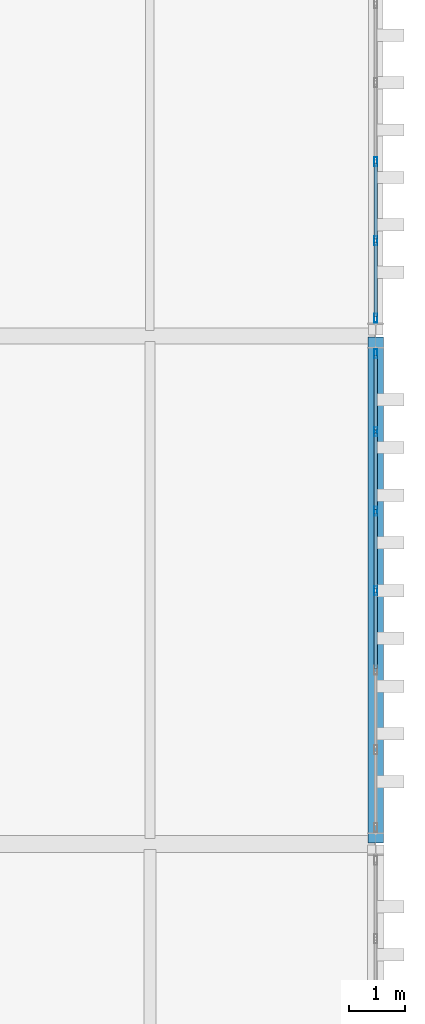
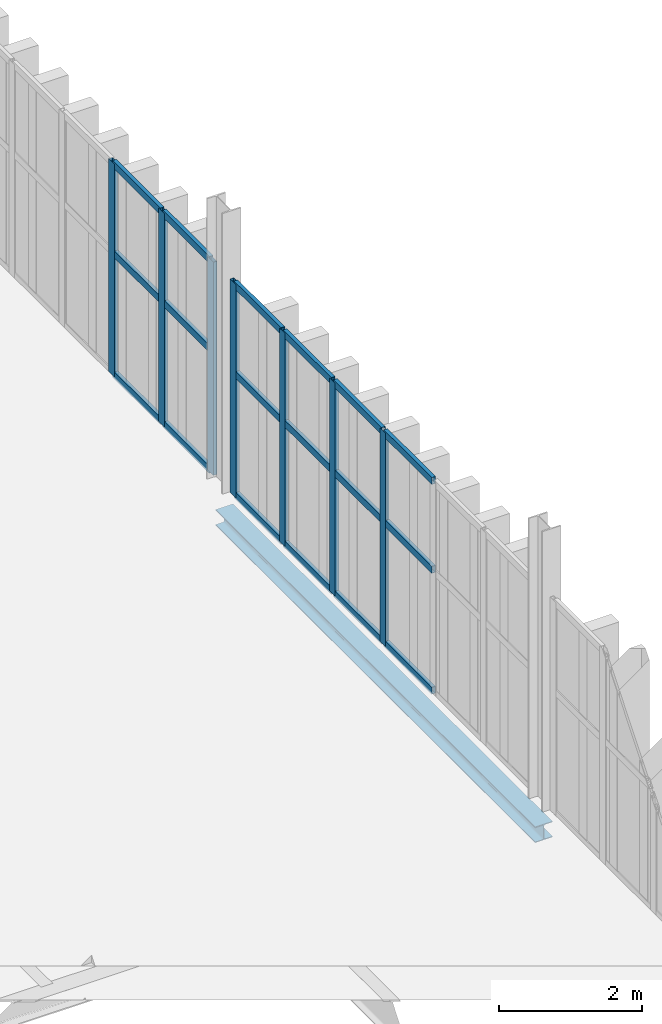
# One storey, part 126 of 196: 25 members, 1 beam, 2 elements without a shape of their own.
"""IFC4 building model written with IfcOpenShell, lengths in metres."""

import ifcopenshell
import ifcopenshell.guid

model = None  # the IFC model being written
_history = None  # IfcOwnerHistory: only IFC2X3 demands one
_inside = {}  # id of a spatial element -> (the spatial element, [elements in it])
_under = {}  # id of a project, library or spatial element -> (it, [spatial elements below it])
_declared = {}  # id of a project -> (the project, [libraries it declares])
_typed = {}  # id of a type object -> (the type object, [elements of that type])
_made_of = {}  # id of a material, layer set ... -> (it, [elements and type objects made of it])


def new_model(schema):
    """Start an empty IFC model of exactly this schema.

    Asked for "IFC4X3", IfcOpenShell would pick the latest addendum, in which some entities
    have other attributes; the version numbers below select the first issue.
    IFC2X3 requires an IfcOwnerHistory on every rooted entity: one is made here for all.
    """
    global model, _history
    if schema == "IFC4X3":
        model = ifcopenshell.file(schema_version=(4, 3, 0, 0))
    else:
        model = ifcopenshell.file(schema=schema)
    _inside.clear()
    _under.clear()
    _declared.clear()
    _typed.clear()
    _made_of.clear()
    _history = None
    if model.schema == "IFC2X3":
        org = make("IfcOrganization", Name="unknown")
        user = make(
            "IfcPersonAndOrganization",
            ThePerson=make("IfcPerson", FamilyName="unknown"),
            TheOrganization=org,
        )
        app = make(
            "IfcApplication",
            ApplicationDeveloper=org,
            Version="unknown",
            ApplicationFullName="unknown",
            ApplicationIdentifier="unknown",
        )
        _history = make(
            "IfcOwnerHistory",
            OwningUser=user,
            OwningApplication=app,
            ChangeAction="ADDED",
            CreationDate=0,
        )
    return model


def make(cls, **values):
    """One entity of the class cls with the attributes given. An attribute that is None is left unset."""
    return model.create_entity(
        cls, **{name: value for name, value in values.items() if value is not None}
    )


def rooted(cls, **values):
    """An entity with a GlobalId (a new one), such as an element, a storey or a relation."""
    return make(cls, GlobalId=ifcopenshell.guid.new(), OwnerHistory=_history, **values)


def si_unit(unit_type, name, prefix=None):
    """IfcSIUnit, for example si_unit("LENGTHUNIT", "METRE", prefix="MILLI")."""
    return make("IfcSIUnit", UnitType=unit_type, Prefix=prefix, Name=name)


def assignment(units):
    """IfcUnitAssignment: the units of a project."""
    return None if units is None else make("IfcUnitAssignment", Units=units)


def point(xyz):
    """IfcCartesianPoint."""
    return None if xyz is None else make("IfcCartesianPoint", Coordinates=xyz)


def direction(xyz):
    """IfcDirection."""
    return None if xyz is None else make("IfcDirection", DirectionRatios=xyz)


def frame(location, z_axis=None, x_axis=None):
    """IfcAxis2Placement3D, a coordinate frame: its origin and axes. An axis left out is left unset."""
    return make(
        "IfcAxis2Placement3D",
        Location=point(location),
        Axis=direction(z_axis),
        RefDirection=direction(x_axis),
    )


def frame_2d(location, x_axis=None):
    """IfcAxis2Placement2D, a coordinate frame in the plane: its origin and x axis."""
    return make(
        "IfcAxis2Placement2D", Location=point(location), RefDirection=direction(x_axis)
    )


def origin():
    """The frame at (0, 0, 0) with its axes left unset."""
    return frame((0.0, 0.0, 0.0))


def origin_2d():
    """The frame at (0, 0) in the plane with its x axis left unset."""
    return frame_2d((0.0, 0.0))


def place(relative_to, where):
    """IfcLocalPlacement: puts the frame where relative to a parent placement (None: the world)."""
    return make(
        "IfcLocalPlacement", PlacementRelTo=relative_to, RelativePlacement=where
    )


def context(
    kind, dimensions, precision=None, world=None, true_north=None, identifier=None
):
    """IfcGeometricRepresentationContext, for example the 3D "Model" context."""
    return make(
        "IfcGeometricRepresentationContext",
        ContextIdentifier=identifier,
        ContextType=kind,
        CoordinateSpaceDimension=dimensions,
        Precision=precision,
        WorldCoordinateSystem=world,
        TrueNorth=true_north,
    )


def subcontext(parent, identifier, kind, view, scale=None):
    """IfcGeometricRepresentationSubContext, for example "Body" below "Model"."""
    return make(
        "IfcGeometricRepresentationSubContext",
        ContextIdentifier=identifier,
        ContextType=kind,
        ParentContext=parent,
        TargetScale=scale,
        TargetView=view,
    )


def project(units=None, contexts=None):
    """IfcProject with its units and contexts."""
    return rooted(
        "IfcProject",
        Name="project",
        RepresentationContexts=contexts,
        UnitsInContext=assignment(units),
    )


def spatial(cls, under=None, at=None, **own):
    """A site, building, storey or space (cls), placed at a placement, below another one or the project."""
    s = rooted(cls, ObjectPlacement=at, **own)
    if under is not None:
        _under.setdefault(under.id(), (under, []))[1].append(s)
    return s


def profile(cls, at=None, kind="AREA", **sizes):
    """A parametric profile (cls). Its sizes go by their IFC names, for example OverallWidth=200.0."""
    return make(cls, ProfileType=kind, Position=at, **sizes)


def hollow_rectangle(**sizes):
    """IfcRectangleHollowProfileDef."""
    return profile("IfcRectangleHollowProfileDef", **sizes)


def i_section(**sizes):
    """IfcIShapeProfileDef."""
    return profile("IfcIShapeProfileDef", **sizes)


def extrude(swept, where, along, depth):
    """IfcExtrudedAreaSolid: the profile swept, set in the frame where, extruded along a direction by depth."""
    return make(
        "IfcExtrudedAreaSolid",
        SweptArea=swept,
        Position=where,
        ExtrudedDirection=direction(along),
        Depth=depth,
    )


def shape(context_of_items, identifier, shape_type, items):
    """IfcShapeRepresentation: the items that make up one representation, for example the "Body"."""
    return make(
        "IfcShapeRepresentation",
        ContextOfItems=context_of_items,
        RepresentationIdentifier=identifier,
        RepresentationType=shape_type,
        Items=items,
    )


def material(Name=None, Category=None):
    """IfcMaterial."""
    return make("IfcMaterial", Name=Name, Category=Category)


def layer(
    of_material, thickness, ventilated=None, Name=None, Category=None, Priority=None
):
    """IfcMaterialLayer: one layer of a wall or slab, of a material (None: an air gap)."""
    return make(
        "IfcMaterialLayer",
        Material=of_material,
        LayerThickness=thickness,
        IsVentilated=ventilated,
        Name=Name,
        Category=Category,
        Priority=Priority,
    )


def layer_set(layers, Name=None):
    """IfcMaterialLayerSet."""
    return make("IfcMaterialLayerSet", MaterialLayers=layers, LayerSetName=Name)


def material_profile(
    of_material, cross_section, Name=None, Category=None, Priority=None
):
    """IfcMaterialProfile: a cross section and its material."""
    return make(
        "IfcMaterialProfile",
        Name=Name,
        Material=of_material,
        Profile=cross_section,
        Priority=Priority,
        Category=Category,
    )


def profile_set(profiles, Name=None, composite=None):
    """IfcMaterialProfileSet."""
    return make(
        "IfcMaterialProfileSet",
        Name=Name,
        MaterialProfiles=profiles,
        CompositeProfile=composite,
    )


def made_of(thing, what):
    """Note that an element or type object is made of a material, layer set ...; save() writes the relation."""
    if what is not None:
        _made_of.setdefault(what.id(), (what, []))[1].append(thing)
    return thing


def type_object(cls, material=None, **own):
    """A type object (cls), such as IfcWallType, which elements share."""
    return made_of(rooted(cls, **own), material)


def element(
    cls,
    number,
    at=None,
    inside=None,
    cuts=None,
    type_object=None,
    material=None,
    context=None,
    identifier="Body",
    shape_type=None,
    held_by="IfcProductDefinitionShape",
    body=None,
    shapes=None,
    **own,
):
    """One element of the class cls, such as IfcWall. Its Tag is "e" and its number.

    at: its placement. inside: the storey or other place that contains it. cuts: it is an
    opening in that element (IfcRelVoidsElement). A single representation is given by context,
    identifier, shape_type and body (its items); several are given by shapes. held_by: the class
    of the entity that holds the representations. save() writes the other relations.
    """
    e = rooted(cls, Tag="e%d" % number, ObjectPlacement=at, **own)
    if body is not None:
        shapes = [shape(context, identifier, shape_type, body)]
    if shapes is not None:
        e.Representation = make(held_by, Representations=shapes)
    if inside is not None:
        _inside.setdefault(inside.id(), (inside, []))[1].append(e)
    if cuts is not None:
        rooted(
            "IfcRelVoidsElement", RelatingBuildingElement=cuts, RelatedOpeningElement=e
        )
    if type_object is not None:
        _typed.setdefault(type_object.id(), (type_object, []))[1].append(e)
    return made_of(e, material)


def aggregate(whole, parts):
    """IfcRelAggregates: a whole, such as a stair, and the parts it consists of."""
    return rooted("IfcRelAggregates", RelatingObject=whole, RelatedObjects=parts)


def save(model, path):
    """Write the relations noted so far, then the file.

    IfcRelAggregates (storeys below a building ...), IfcRelContainedInSpatialStructure (elements
    in a storey), IfcRelDefinesByType, IfcRelAssociatesMaterial and IfcRelDeclares: one each for
    every whole, place, type object, material and project.
    """
    for whole, parts in _under.values():
        aggregate(whole, parts)
    for where, things in _inside.values():
        rooted(
            "IfcRelContainedInSpatialStructure",
            RelatedElements=things,
            RelatingStructure=where,
        )
    for kind, things in _typed.values():
        rooted("IfcRelDefinesByType", RelatedObjects=things, RelatingType=kind)
    for what, things in _made_of.values():
        rooted("IfcRelAssociatesMaterial", RelatedObjects=things, RelatingMaterial=what)
    for by, libraries in _declared.values():
        rooted("IfcRelDeclares", RelatingContext=by, RelatedDefinitions=libraries)
    model.write(path)


model = new_model("IFC4")

# Units and contexts
model_context = context("Model", 3, precision=1e-05, world=origin(), true_north=direction((0.0, 1.0)))
body_context = subcontext(model_context, "Body", "Model", "MODEL_VIEW")
ifc_project = project(units=[si_unit("LENGTHUNIT", "METRE"), si_unit("AREAUNIT", "SQUARE_METRE"), si_unit("VOLUMEUNIT", "CUBIC_METRE"), si_unit("PLANEANGLEUNIT", "RADIAN"), si_unit("MASSUNIT", "GRAM", prefix="KILO")], contexts=[model_context])

# Site, building, storey
site_placement = place(None, origin())
site = spatial("IfcSite", under=ifc_project, at=site_placement, CompositionType="ELEMENT")
building_placement = place(site_placement, origin())
building = spatial("IfcBuilding", under=site, at=building_placement, Name="Barlavento Convention Centre", CompositionType="ELEMENT")
storey_placement = place(building_placement, frame((0.0, 0.0, 18.0)))
storey = spatial("IfcBuildingStorey", under=building, at=storey_placement, Name="L03", CompositionType="ELEMENT", Elevation=18.0)

# Curtain wall, members
ifc_material_1 = material(Name="Powder-coated aluminium and Low-E glass", Category="aluminium")
ifc_layer = layer(ifc_material_1, 0.179931640625)
ifc_layer_set = layer_set([ifc_layer], Name="ARC-CW-CONF-L03")
curtain_wall_type = type_object("IfcCurtainWallType", Name="ARC-CW-CONF-L03", PredefinedType="NOTDEFINED", material=ifc_layer_set)
curtain_wall_1_placement = place(storey_placement, origin())
curtain_wall_1 = element("IfcCurtainWall", 1, at=curtain_wall_1_placement, inside=storey, type_object=curtain_wall_type, Name="L03 unitised curtain wall CW08", PredefinedType="NOTDEFINED")
ifc_material_2 = material(Name="Powder-coated aluminium", Category="aluminium")
ifc_material_profile_1 = material_profile(ifc_material_2, hollow_rectangle(XDim=0.06005859375, YDim=0.159912109375, WallThickness=0.00390625, at=origin_2d()), Name="AL-MULL 60x160x4")
ifc_profile_set_1 = profile_set([ifc_material_profile_1], Name="Powder-coated aluminium")
member_type_1 = type_object("IfcMemberType", Name="ARC-CWM-60X160", PredefinedType="MULLION", material=ifc_profile_set_1)
member_1_placement = place(storey_placement, frame((192.0, 22.487548828125, 0.0), z_axis=(0.0, 0.0, 1.0), x_axis=(-1.0, 0.0, 0.0)))
member_1 = element("IfcMember", 2, at=member_1_placement, type_object=member_type_1, Name="CW08 mullion 4", PredefinedType="MULLION", context=body_context, shape_type="SweptSolid", body=[
    extrude(hollow_rectangle(XDim=0.06005859375, YDim=0.159912109375, WallThickness=0.00390625, at=origin_2d()), origin(), (0.0, 0.0, 1.0), 3.64990234375),
])
member_2_placement = place(storey_placement, frame((192.0, 23.896728515625, 0.0), z_axis=(0.0, 0.0, 1.0), x_axis=(-1.0, 0.0, 0.0)))
member_2 = element("IfcMember", 3, at=member_2_placement, type_object=member_type_1, Name="CW08 mullion 5", PredefinedType="MULLION", context=body_context, shape_type="SweptSolid", body=[
    extrude(hollow_rectangle(XDim=0.06005859375, YDim=0.159912109375, WallThickness=0.00390625, at=origin_2d()), origin(), (0.0, 0.0, 1.0), 3.64990234375),
])
member_3_placement = place(storey_placement, frame((192.0, 25.305908203125, 0.0), z_axis=(0.0, 0.0, 1.0), x_axis=(-1.0, 0.0, 0.0)))
member_3 = element("IfcMember", 4, at=member_3_placement, type_object=member_type_1, Name="CW08 mullion 6", PredefinedType="MULLION", context=body_context, shape_type="SweptSolid", body=[
    extrude(hollow_rectangle(XDim=0.06005859375, YDim=0.159912109375, WallThickness=0.00390625, at=origin_2d()), origin(), (0.0, 0.0, 1.0), 3.64990234375),
])
member_4_placement = place(storey_placement, frame((192.0, 26.68505859375, 0.0), z_axis=(0.0, 0.0, 1.0), x_axis=(-1.0, 0.0, 0.0)))
member_4 = element("IfcMember", 5, at=member_4_placement, type_object=member_type_1, Name="CW08 mullion 7", PredefinedType="MULLION", context=body_context, shape_type="SweptSolid", body=[
    extrude(hollow_rectangle(XDim=0.06005859375, YDim=0.159912109375, WallThickness=0.00390625, at=origin_2d()), origin(), (0.0, 0.0, 1.0), 3.64990234375),
])

curtain_wall_2_placement = place(storey_placement, origin())
curtain_wall_2 = element("IfcCurtainWall", 6, at=curtain_wall_2_placement, inside=storey, type_object=curtain_wall_type, Name="L03 unitised curtain wall CW08", PredefinedType="NOTDEFINED")
member_5_placement = place(storey_placement, frame((192.0, 27.31494140625, 0.0), z_axis=(0.0, 0.0, 1.0), x_axis=(-1.0, 0.0, 0.0)))
member_5 = element("IfcMember", 7, at=member_5_placement, type_object=member_type_1, Name="CW08 mullion 1", PredefinedType="MULLION", context=body_context, shape_type="SweptSolid", body=[
    extrude(hollow_rectangle(XDim=0.06005859375, YDim=0.159912109375, WallThickness=0.00390625, at=origin_2d()), origin(), (0.0, 0.0, 1.0), 3.64990234375),
])
member_6_placement = place(storey_placement, frame((192.0, 28.685791015625, 0.0), z_axis=(0.0, 0.0, 1.0), x_axis=(-1.0, 0.0, 0.0)))
member_6 = element("IfcMember", 8, at=member_6_placement, type_object=member_type_1, Name="CW08 mullion 2", PredefinedType="MULLION", context=body_context, shape_type="SweptSolid", body=[
    extrude(hollow_rectangle(XDim=0.06005859375, YDim=0.159912109375, WallThickness=0.00390625, at=origin_2d()), origin(), (0.0, 0.0, 1.0), 3.64990234375),
])
member_7_placement = place(storey_placement, frame((192.0, 30.086669921875, 0.0), z_axis=(0.0, 0.0, 1.0), x_axis=(-1.0, 0.0, 0.0)))
member_7 = element("IfcMember", 9, at=member_7_placement, type_object=member_type_1, Name="CW08 mullion 3", PredefinedType="MULLION", context=body_context, shape_type="SweptSolid", body=[
    extrude(hollow_rectangle(XDim=0.06005859375, YDim=0.159912109375, WallThickness=0.00390625, at=origin_2d()), origin(), (0.0, 0.0, 1.0), 3.64990234375),
])

# Member
ifc_material_profile_2 = material_profile(ifc_material_2, hollow_rectangle(XDim=0.06005859375, YDim=0.1201171875, WallThickness=0.00390625, at=origin_2d()), Name="AL-TRAN 60x120x4")
ifc_profile_set_2 = profile_set([ifc_material_profile_2], Name="Powder-coated aluminium")
member_type_2 = type_object("IfcMemberType", Name="ARC-CWT-60X120", PredefinedType="USERDEFINED", material=ifc_profile_set_2)
member_8_placement = place(storey_placement, frame((192.0, 21.1083984375, 0.030029296875), z_axis=(0.0, 1.0, 0.0), x_axis=(-1.0, 0.0, 0.0)))
member_8 = element("IfcMember", 10, at=member_8_placement, type_object=member_type_2, Name="CW08 transom 3.1", ObjectType="TRANSOM", PredefinedType="USERDEFINED", context=body_context, shape_type="SweptSolid", body=[
    extrude(hollow_rectangle(XDim=0.06005859375, YDim=0.1201171875, WallThickness=0.00390625, at=origin_2d()), origin(), (0.0, 0.0, 1.0), 1.34912109375),
])

member_9_placement = place(storey_placement, frame((192.0, 21.1083984375, 2.10009765625), z_axis=(0.0, 1.0, 0.0), x_axis=(-1.0, 0.0, 0.0)))
member_9 = element("IfcMember", 11, at=member_9_placement, type_object=member_type_2, Name="CW08 transom 3.2", ObjectType="TRANSOM", PredefinedType="USERDEFINED", context=body_context, shape_type="SweptSolid", body=[
    extrude(hollow_rectangle(XDim=0.06005859375, YDim=0.1201171875, WallThickness=0.00390625, at=origin_2d()), origin(), (0.0, 0.0, 1.0), 1.34912109375),
])

member_10_placement = place(storey_placement, frame((192.0, 21.1083984375, 3.6201171875), z_axis=(0.0, 1.0, 0.0), x_axis=(-1.0, 0.0, 0.0)))
member_10 = element("IfcMember", 12, at=member_10_placement, type_object=member_type_2, Name="CW08 transom 3.3", ObjectType="TRANSOM", PredefinedType="USERDEFINED", context=body_context, shape_type="SweptSolid", body=[
    extrude(hollow_rectangle(XDim=0.06005859375, YDim=0.1201171875, WallThickness=0.00390625, at=origin_2d()), origin(), (0.0, 0.0, 1.0), 1.34912109375),
])

member_11_placement = place(storey_placement, frame((192.0, 22.517578125, 0.030029296875), z_axis=(0.0, 1.0, 0.0), x_axis=(-1.0, 0.0, 0.0)))
member_11 = element("IfcMember", 13, at=member_11_placement, type_object=member_type_2, Name="CW08 transom 4.1", ObjectType="TRANSOM", PredefinedType="USERDEFINED", context=body_context, shape_type="SweptSolid", body=[
    extrude(hollow_rectangle(XDim=0.06005859375, YDim=0.1201171875, WallThickness=0.00390625, at=origin_2d()), origin(), (0.0, 0.0, 1.0), 1.34912109375),
])

member_12_placement = place(storey_placement, frame((192.0, 22.517578125, 2.10009765625), z_axis=(0.0, 1.0, 0.0), x_axis=(-1.0, 0.0, 0.0)))
member_12 = element("IfcMember", 14, at=member_12_placement, type_object=member_type_2, Name="CW08 transom 4.2", ObjectType="TRANSOM", PredefinedType="USERDEFINED", context=body_context, shape_type="SweptSolid", body=[
    extrude(hollow_rectangle(XDim=0.06005859375, YDim=0.1201171875, WallThickness=0.00390625, at=origin_2d()), origin(), (0.0, 0.0, 1.0), 1.34912109375),
])

member_13_placement = place(storey_placement, frame((192.0, 22.517578125, 3.6201171875), z_axis=(0.0, 1.0, 0.0), x_axis=(-1.0, 0.0, 0.0)))
member_13 = element("IfcMember", 15, at=member_13_placement, type_object=member_type_2, Name="CW08 transom 4.3", ObjectType="TRANSOM", PredefinedType="USERDEFINED", context=body_context, shape_type="SweptSolid", body=[
    extrude(hollow_rectangle(XDim=0.06005859375, YDim=0.1201171875, WallThickness=0.00390625, at=origin_2d()), origin(), (0.0, 0.0, 1.0), 1.34912109375),
])

member_14_placement = place(storey_placement, frame((192.0, 23.9267578125, 0.030029296875), z_axis=(0.0, 1.0, 0.0), x_axis=(-1.0, 0.0, 0.0)))
member_14 = element("IfcMember", 16, at=member_14_placement, type_object=member_type_2, Name="CW08 transom 5.1", ObjectType="TRANSOM", PredefinedType="USERDEFINED", context=body_context, shape_type="SweptSolid", body=[
    extrude(hollow_rectangle(XDim=0.06005859375, YDim=0.1201171875, WallThickness=0.00390625, at=origin_2d()), origin(), (0.0, 0.0, 1.0), 1.34912109375),
])

member_15_placement = place(storey_placement, frame((192.0, 23.9267578125, 2.10009765625), z_axis=(0.0, 1.0, 0.0), x_axis=(-1.0, 0.0, 0.0)))
member_15 = element("IfcMember", 17, at=member_15_placement, type_object=member_type_2, Name="CW08 transom 5.2", ObjectType="TRANSOM", PredefinedType="USERDEFINED", context=body_context, shape_type="SweptSolid", body=[
    extrude(hollow_rectangle(XDim=0.06005859375, YDim=0.1201171875, WallThickness=0.00390625, at=origin_2d()), origin(), (0.0, 0.0, 1.0), 1.34912109375),
])

member_16_placement = place(storey_placement, frame((192.0, 23.9267578125, 3.6201171875), z_axis=(0.0, 1.0, 0.0), x_axis=(-1.0, 0.0, 0.0)))
member_16 = element("IfcMember", 18, at=member_16_placement, type_object=member_type_2, Name="CW08 transom 5.3", ObjectType="TRANSOM", PredefinedType="USERDEFINED", context=body_context, shape_type="SweptSolid", body=[
    extrude(hollow_rectangle(XDim=0.06005859375, YDim=0.1201171875, WallThickness=0.00390625, at=origin_2d()), origin(), (0.0, 0.0, 1.0), 1.34912109375),
])

member_17_placement = place(storey_placement, frame((192.0, 25.3359375, 0.030029296875), z_axis=(0.0, 1.0, 0.0), x_axis=(-1.0, 0.0, 0.0)))
member_17 = element("IfcMember", 19, at=member_17_placement, type_object=member_type_2, Name="CW08 transom 6.1", ObjectType="TRANSOM", PredefinedType="USERDEFINED", context=body_context, shape_type="SweptSolid", body=[
    extrude(hollow_rectangle(XDim=0.06005859375, YDim=0.1201171875, WallThickness=0.00390625, at=origin_2d()), origin(), (0.0, 0.0, 1.0), 1.319091796875),
])

member_18_placement = place(storey_placement, frame((192.0, 25.3359375, 2.10009765625), z_axis=(0.0, 1.0, 0.0), x_axis=(-1.0, 0.0, 0.0)))
member_18 = element("IfcMember", 20, at=member_18_placement, type_object=member_type_2, Name="CW08 transom 6.2", ObjectType="TRANSOM", PredefinedType="USERDEFINED", context=body_context, shape_type="SweptSolid", body=[
    extrude(hollow_rectangle(XDim=0.06005859375, YDim=0.1201171875, WallThickness=0.00390625, at=origin_2d()), origin(), (0.0, 0.0, 1.0), 1.319091796875),
])

member_19_placement = place(storey_placement, frame((192.0, 25.3359375, 3.6201171875), z_axis=(0.0, 1.0, 0.0), x_axis=(-1.0, 0.0, 0.0)))
member_19 = element("IfcMember", 21, at=member_19_placement, type_object=member_type_2, Name="CW08 transom 6.3", ObjectType="TRANSOM", PredefinedType="USERDEFINED", context=body_context, shape_type="SweptSolid", body=[
    extrude(hollow_rectangle(XDim=0.06005859375, YDim=0.1201171875, WallThickness=0.00390625, at=origin_2d()), origin(), (0.0, 0.0, 1.0), 1.319091796875),
])

aggregate(curtain_wall_1, [member_1, member_2, member_3, member_4, member_8, member_9, member_10, member_11, member_12, member_13, member_14, member_15, member_16, member_17, member_18, member_19])

member_20_placement = place(storey_placement, frame((192.0, 27.344970703125, 0.030029296875), z_axis=(0.0, 1.0, 0.0), x_axis=(-1.0, 0.0, 0.0)))
member_20 = element("IfcMember", 22, at=member_20_placement, type_object=member_type_2, Name="CW08 transom 1.1", ObjectType="TRANSOM", PredefinedType="USERDEFINED", context=body_context, shape_type="SweptSolid", body=[
    extrude(hollow_rectangle(XDim=0.06005859375, YDim=0.1201171875, WallThickness=0.00390625, at=origin_2d()), origin(), (0.0, 0.0, 1.0), 1.310791015625),
])

member_21_placement = place(storey_placement, frame((192.0, 27.344970703125, 2.10009765625), z_axis=(0.0, 1.0, 0.0), x_axis=(-1.0, 0.0, 0.0)))
member_21 = element("IfcMember", 23, at=member_21_placement, type_object=member_type_2, Name="CW08 transom 1.2", ObjectType="TRANSOM", PredefinedType="USERDEFINED", context=body_context, shape_type="SweptSolid", body=[
    extrude(hollow_rectangle(XDim=0.06005859375, YDim=0.1201171875, WallThickness=0.00390625, at=origin_2d()), origin(), (0.0, 0.0, 1.0), 1.310791015625),
])

member_22_placement = place(storey_placement, frame((192.0, 27.344970703125, 3.6201171875), z_axis=(0.0, 1.0, 0.0), x_axis=(-1.0, 0.0, 0.0)))
member_22 = element("IfcMember", 24, at=member_22_placement, type_object=member_type_2, Name="CW08 transom 1.3", ObjectType="TRANSOM", PredefinedType="USERDEFINED", context=body_context, shape_type="SweptSolid", body=[
    extrude(hollow_rectangle(XDim=0.06005859375, YDim=0.1201171875, WallThickness=0.00390625, at=origin_2d()), origin(), (0.0, 0.0, 1.0), 1.310791015625),
])

member_23_placement = place(storey_placement, frame((192.0, 28.7158203125, 0.030029296875), z_axis=(0.0, 1.0, 0.0), x_axis=(-1.0, 0.0, 0.0)))
member_23 = element("IfcMember", 25, at=member_23_placement, type_object=member_type_2, Name="CW08 transom 2.1", ObjectType="TRANSOM", PredefinedType="USERDEFINED", context=body_context, shape_type="SweptSolid", body=[
    extrude(hollow_rectangle(XDim=0.06005859375, YDim=0.1201171875, WallThickness=0.00390625, at=origin_2d()), origin(), (0.0, 0.0, 1.0), 1.3408203125),
])

member_24_placement = place(storey_placement, frame((192.0, 28.7158203125, 2.10009765625), z_axis=(0.0, 1.0, 0.0), x_axis=(-1.0, 0.0, 0.0)))
member_24 = element("IfcMember", 26, at=member_24_placement, type_object=member_type_2, Name="CW08 transom 2.2", ObjectType="TRANSOM", PredefinedType="USERDEFINED", context=body_context, shape_type="SweptSolid", body=[
    extrude(hollow_rectangle(XDim=0.06005859375, YDim=0.1201171875, WallThickness=0.00390625, at=origin_2d()), origin(), (0.0, 0.0, 1.0), 1.3408203125),
])

member_25_placement = place(storey_placement, frame((192.0, 28.7158203125, 3.6201171875), z_axis=(0.0, 1.0, 0.0), x_axis=(-1.0, 0.0, 0.0)))
member_25 = element("IfcMember", 27, at=member_25_placement, type_object=member_type_2, Name="CW08 transom 2.3", ObjectType="TRANSOM", PredefinedType="USERDEFINED", context=body_context, shape_type="SweptSolid", body=[
    extrude(hollow_rectangle(XDim=0.06005859375, YDim=0.1201171875, WallThickness=0.00390625, at=origin_2d()), origin(), (0.0, 0.0, 1.0), 1.3408203125),
])

aggregate(curtain_wall_2, [member_5, member_6, member_7, member_20, member_21, member_22, member_23, member_24, member_25])

# Beam
ifc_material_3 = material(Name="Steel S355", Category="steel")
ifc_material_profile_3 = material_profile(ifc_material_3, i_section(OverallWidth=0.280029296875, OverallDepth=0.27001953125, WebThickness=0.008056640625, FlangeThickness=0.012939453125, FilletRadius=0.02392578125, at=origin_2d()), Name="HEA 280")
ifc_profile_set_3 = profile_set([ifc_material_profile_3], Name="Steel S355")
beam_type = type_object("IfcBeamType", Name="STR-BM-SPN-HEA280", PredefinedType="SPANDREL", material=ifc_profile_set_3)
beam_placement = place(storey_placement, frame((192.0, 18.02001953125, -0.52490234375), z_axis=(0.0, 1.0, 0.0), x_axis=(-1.0, 0.0, 0.0)))
element("IfcBeam", 28, at=beam_placement, inside=storey, type_object=beam_type, Name="L03 grid girder SP03", PredefinedType="SPANDREL", context=body_context, shape_type="SweptSolid", body=[
    extrude(i_section(OverallWidth=0.280029296875, OverallDepth=0.27001953125, WebThickness=0.008056640625, FlangeThickness=0.012939453125, FilletRadius=0.02392578125, at=origin_2d()), origin(), (0.0, 0.0, 1.0), 8.9599609375),
])

save(model, "model.ifc")
